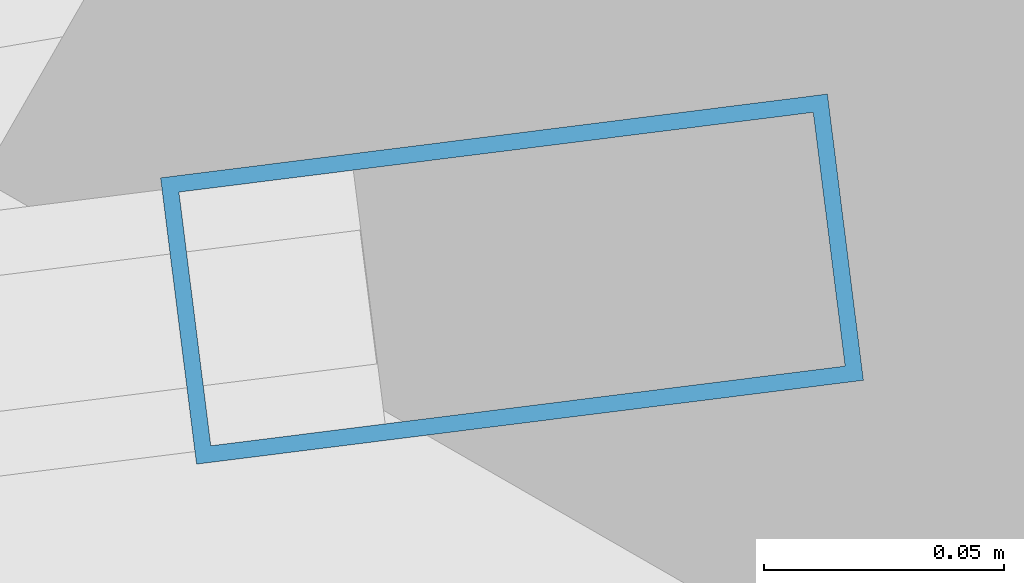
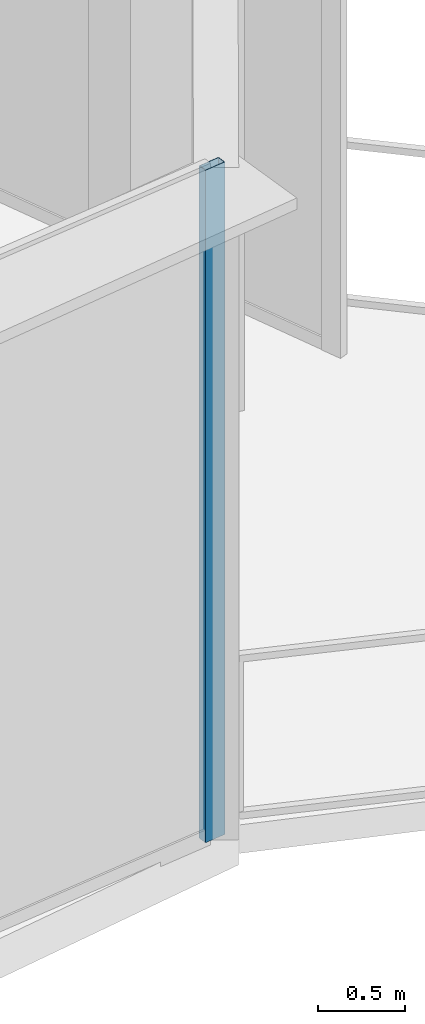
# One storey, part 12 of 29: 1 member, 1 element without a shape of its own.
"""IFC4 building model written with IfcOpenShell, lengths in metres."""

from ifc_helpers import new_model, si_unit, direction, frame, origin, origin_2d, place, context, subcontext, project, spatial, hollow_rectangle, extrude, source, transform, mapped, material, layer, layer_set, material_profile, profile_set, type_object, element, aggregate, save


model = new_model("IFC4")

# Units and contexts
model_context = context("Model", 3, precision=1e-05, world=origin(), true_north=direction((0.0, 1.0)))
body_context = subcontext(model_context, "Body", "Model", "MODEL_VIEW")
ifc_project = project(units=[si_unit("LENGTHUNIT", "METRE"), si_unit("AREAUNIT", "SQUARE_METRE"), si_unit("VOLUMEUNIT", "CUBIC_METRE"), si_unit("PLANEANGLEUNIT", "RADIAN"), si_unit("MASSUNIT", "GRAM", prefix="KILO"), si_unit("THERMODYNAMICTEMPERATUREUNIT", "KELVIN"), si_unit("POWERUNIT", "WATT")], contexts=[model_context])

# Site, building, storey
site_placement = place(None, origin())
site = spatial("IfcSite", under=ifc_project, at=site_placement, CompositionType="ELEMENT")
building_placement = place(site_placement, origin())
building = spatial("IfcBuilding", under=site, at=building_placement, Name="Yunzhuo Pagoda Commons", CompositionType="ELEMENT")
storey_placement = place(building_placement, frame((0.0, 0.0, 366.760009765625)))
storey = spatial("IfcBuildingStorey", under=building, at=storey_placement, Name="L92", CompositionType="ELEMENT", Elevation=366.760009765625)

# Curtain wall, member
ifc_material = material(Name="Anodized aluminium 6063-T6", Category="aluminium")
ifc_layer = layer(ifc_material, 0.139892578125)
ifc_layer_set = layer_set([ifc_layer], Name="Anodized aluminium 6063-T6")
curtain_wall_type = type_object("IfcCurtainWallType", Name="CW-HI High-Zone Ribbon Curtain Wall", PredefinedType="NOTDEFINED", material=ifc_layer_set)
curtain_wall_placement = place(storey_placement, origin())
curtain_wall = element("IfcCurtainWall", 1, at=curtain_wall_placement, inside=storey, type_object=curtain_wall_type, Name="L92 curtain wall CW-L92-F1B5", PredefinedType="NOTDEFINED")
ifc_material_profile = material_profile(ifc_material, hollow_rectangle(XDim=0.06005859375, YDim=0.139892578125, WallThickness=0.00341796875, at=origin_2d()), Name="Anodized aluminium 6063-T6")
ifc_profile_set = profile_set([ifc_material_profile], Name="Anodized aluminium 6063-T6")
member_type = type_object("IfcMemberType", Name="CW-HI-M Mullion RHS 140x60x3.5", PredefinedType="MULLION", material=ifc_profile_set)
shared_shape = source(origin(), body_context, "Body", "SweptSolid", [
    extrude(hollow_rectangle(XDim=0.06005859375, YDim=0.139892578125, WallThickness=0.00341796875, at=origin_2d()), origin(), (0.0, 0.0, 1.0), 4.72021484375),
])
member_placement = place(storey_placement, frame((70.45654296875, 25.37646484375, 0.0), z_axis=(0.0, 0.0, 1.0), x_axis=(-0.124712184848, 0.992192960543, 0.0)))
member = element("IfcMember", 2, at=member_placement, type_object=member_type, Name="CW mullion 2", PredefinedType="MULLION", context=body_context, shape_type="MappedRepresentation", body=[
    mapped(shared_shape, transform((0.0, 0.0, 0.0), scale=1.0)),
])
aggregate(curtain_wall, [member])

save(model, "model.ifc")
